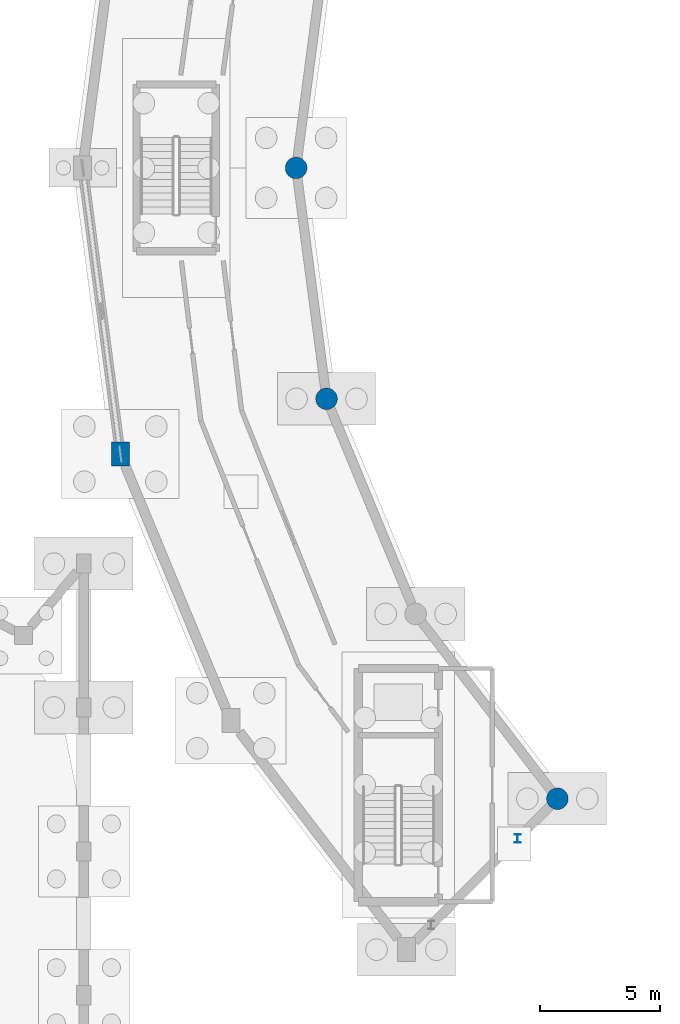
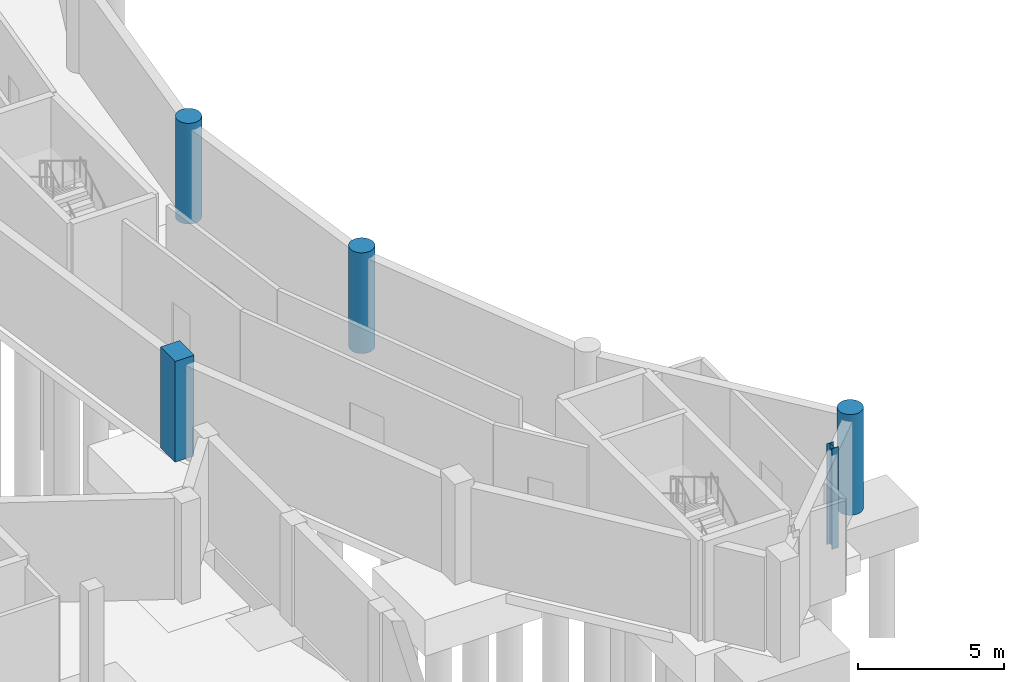
# One storey, part 10 of 43: 5 columns.
"""IFC4 building model written with IfcOpenShell, lengths in metres."""

from ifc_helpers import new_model, si_unit, direction, frame, origin, origin_2d, place, context, subcontext, project, spatial, rectangle, circle, i_section, extrude, material, material_profile, profile_set, type_object, element, save


model = new_model("IFC4")

# Units and contexts
model_context = context("Model", 3, precision=1e-05, world=origin(), true_north=direction((0.0, 1.0)))
body_context = subcontext(model_context, "Body", "Model", "MODEL_VIEW")
ifc_project = project(units=[si_unit("LENGTHUNIT", "METRE"), si_unit("AREAUNIT", "SQUARE_METRE"), si_unit("VOLUMEUNIT", "CUBIC_METRE"), si_unit("PLANEANGLEUNIT", "RADIAN"), si_unit("MASSUNIT", "GRAM", prefix="KILO")], contexts=[model_context])

# Site, building, storey
site_placement = place(None, origin())
site = spatial("IfcSite", under=ifc_project, at=site_placement, CompositionType="ELEMENT")
building_placement = place(site_placement, origin())
building = spatial("IfcBuilding", under=site, at=building_placement, Name="Vespera Passage Community Centre", CompositionType="ELEMENT")
storey_placement = place(building_placement, frame((0.0, 0.0, -4.199951171875)))
storey = spatial("IfcBuildingStorey", under=building, at=storey_placement, Name="B1", CompositionType="ELEMENT", Elevation=-4.199951171875)

# Columns
ifc_material_1 = material(Name="Concrete f'c 45 MPa", Category="concrete")
ifc_material_profile_1 = material_profile(ifc_material_1, rectangle(XDim=0.75, YDim=1.0, at=origin_2d()), Name="RC1000X750")
ifc_profile_set_1 = profile_set([ifc_material_profile_1], Name="Concrete f'c 45 MPa")
column_type_1 = type_object("IfcColumnType", Name="COL-RC1000X750E", PredefinedType="COLUMN", material=ifc_profile_set_1)
column_1_placement = place(storey_placement, frame((33.470703125, 53.568359375, 0.0), z_axis=(0.0, 0.0, 1.0), x_axis=(1.0, 0.0, 0.0)))
element("IfcColumn", 1, at=column_1_placement, inside=storey, type_object=column_type_1, Name="B1 Column V4-O13", PredefinedType="COLUMN", context=body_context, shape_type="SweptSolid", body=[
    extrude(rectangle(XDim=0.75, YDim=1.0, at=origin_2d()), origin(), (0.0, 0.0, 1.0), 4.199951171875),
])
ifc_material_2 = material(Name="Concrete f'c 45 MPa", Category="concrete")
ifc_material_profile_2 = material_profile(ifc_material_2, circle(Radius=0.449951171875, at=origin_2d()), Name="RC900DIA")
ifc_profile_set_2 = profile_set([ifc_material_profile_2], Name="Concrete f'c 45 MPa")
column_type_2 = type_object("IfcColumnType", Name="COL-RC900DIAE", PredefinedType="COLUMN", material=ifc_profile_set_2)
for number, where, z_axis, x_axis, name in (
    (2, (40.800048828125, 65.5, 0.0), (0.0, 0.0, 1.0), (1.0, 0.0, 0.0), "B1 Column V4-I12"),
    (3, (42.067626953125, 55.871826171875, 0.0), (0.0, 0.0, 1.0), (1.0, 0.0, 0.0), "B1 Column V4-I13"),
    (4, (51.695556640625, 39.195556640625, 0.0), (0.0, 0.0, 1.0), (1.0, 0.0, 0.0), "B1 Column V4-I15"),
):
    element("IfcColumn", number, at=place(storey_placement, frame(where, z_axis=z_axis, x_axis=x_axis)), inside=storey, type_object=column_type_2, Name=name, PredefinedType="COLUMN", context=body_context, shape_type="SweptSolid", body=[
        extrude(circle(Radius=0.449951171875, at=origin_2d()), origin(), (0.0, 0.0, 1.0), 4.199951171875),
    ])
ifc_material_3 = material(Name="Steel ASTM A992 Grade 50", Category="steel")
ifc_material_profile_3 = material_profile(ifc_material_3, i_section(OverallWidth=0.2548828125, OverallDepth=0.356689453125, WebThickness=0.010498046875, FlangeThickness=0.018310546875, FilletRadius=0.01513671875, at=origin_2d()), Name="W14X68")
ifc_profile_set_3 = profile_set([ifc_material_profile_3], Name="Steel ASTM A992 Grade 50")
column_type_3 = type_object("IfcColumnType", Name="COL-W14X68I", PredefinedType="COLUMN", material=ifc_profile_set_3)
column_2_placement = place(storey_placement, frame((50.033935546875, 37.533935546875, 0.0), z_axis=(0.0, 0.0, 1.0), x_axis=(1.0, 0.0, 0.0)))
element("IfcColumn", 5, at=column_2_placement, inside=storey, type_object=column_type_3, Name="B1 Column TRANC-I150", PredefinedType="COLUMN", context=body_context, shape_type="SweptSolid", body=[
    extrude(i_section(OverallWidth=0.2548828125, OverallDepth=0.356689453125, WebThickness=0.010498046875, FlangeThickness=0.018310546875, FilletRadius=0.01513671875, at=origin_2d()), origin(), (0.0, 0.0, 1.0), 4.199951171875),
])

save(model, "model.ifc")
